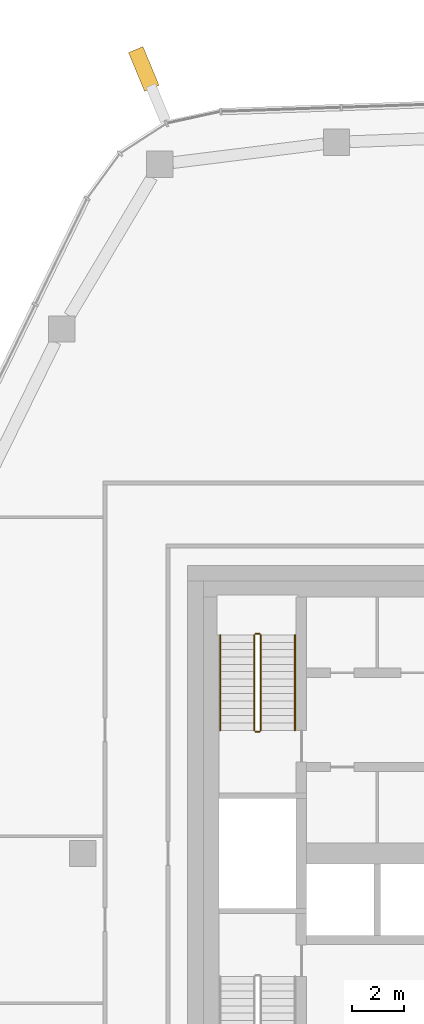
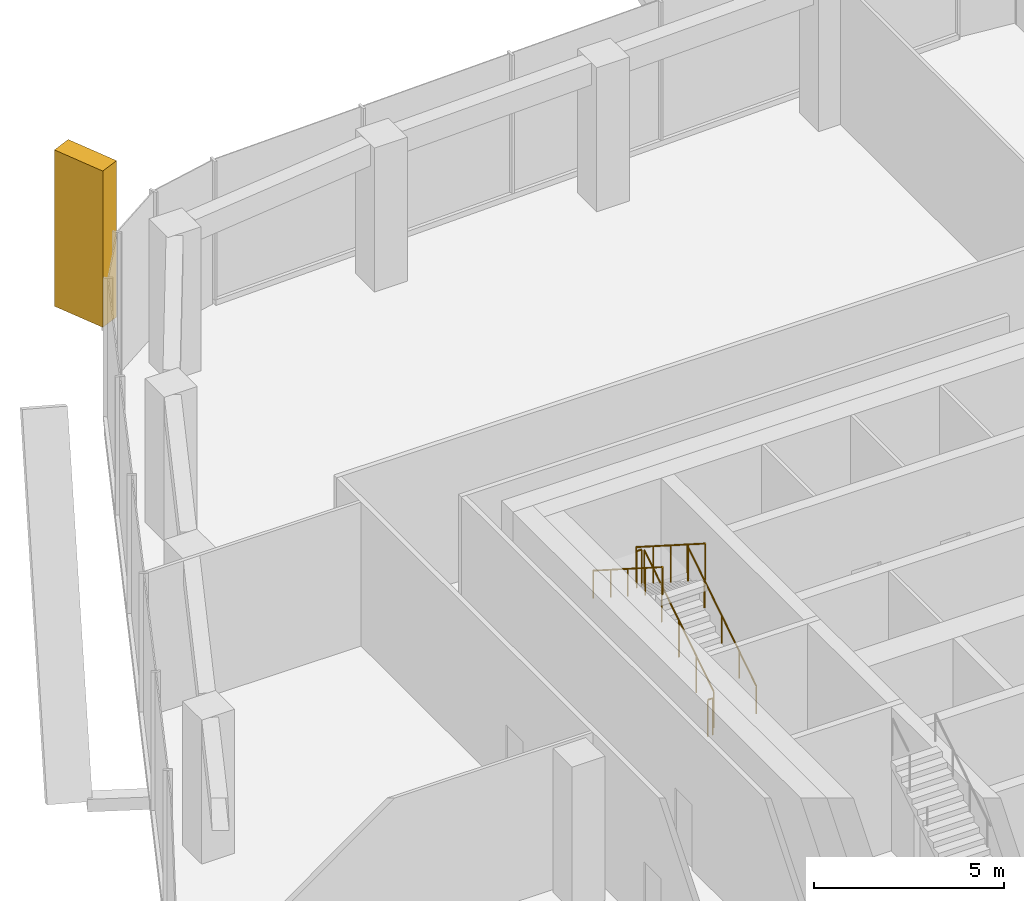
# One storey, part 17 of 20: 6 railings, 1 covering, 1 element without a shape of its own.
"""IFC4 building model written with IfcOpenShell, lengths in metres."""

from ifc_helpers import new_model, si_unit, direction, frame, origin, origin_2d, place, context, subcontext, project, spatial, rectangle, circle, extrude, material, layer, layer_set, material_profile, profile_set, type_object, element, aggregate, save


model = new_model("IFC4")

# Units and contexts
model_context = context("Model", 3, precision=1e-05, world=origin(), true_north=direction((0.0, 1.0)))
body_context = subcontext(model_context, "Body", "Model", "MODEL_VIEW")
ifc_project = project(units=[si_unit("LENGTHUNIT", "METRE"), si_unit("AREAUNIT", "SQUARE_METRE"), si_unit("VOLUMEUNIT", "CUBIC_METRE"), si_unit("PLANEANGLEUNIT", "RADIAN"), si_unit("MASSUNIT", "GRAM", prefix="KILO")], contexts=[model_context])

# Site, building, storey
site_placement = place(None, origin())
site = spatial("IfcSite", under=ifc_project, at=site_placement, CompositionType="ELEMENT")
building_placement = place(site_placement, origin())
building = spatial("IfcBuilding", under=site, at=building_placement, Name="Dongbaek Canopy Tower", CompositionType="ELEMENT")
storey_placement = place(building_placement, frame((0.0, 0.0, 289.199951171875)))
storey = spatial("IfcBuildingStorey", under=building, at=storey_placement, Name="L61", CompositionType="ELEMENT", Elevation=289.199951171875)

# Curtain wall, covering
ifc_material_1 = material(Name="Aluminium 6063-T6 pale anodised", Category="aluminium")
ifc_layer = layer(ifc_material_1, 0.25)
ifc_layer_set = layer_set([ifc_layer], Name="CW-4 sky-lobby curtain wall")
curtain_wall_type = type_object("IfcCurtainWallType", Name="CW-4 sky-lobby curtain wall", PredefinedType="NOTDEFINED", material=ifc_layer_set)
curtain_wall_placement = place(storey_placement, origin())
curtain_wall = element("IfcCurtainWall", 1, at=curtain_wall_placement, inside=storey, type_object=curtain_wall_type, Name="CW-4 curtain wall K2.1", PredefinedType="NOTDEFINED")
ifc_material_2 = material(Name="Aluminium 6063-T6 pale metal fin", Category="aluminium")
ifc_material_profile = material_profile(ifc_material_2, rectangle(XDim=1.60009765625, YDim=0.60009765625, at=origin_2d()), Name="Corner fin CN1 600 x 1600 pale metal")
ifc_profile_set = profile_set([ifc_material_profile], Name="Aluminium 6063-T6 pale metal fin")
covering_type = type_object("IfcCoveringType", Name="Corner fin CN1 600 x 1600 pale metal", PredefinedType="CLADDING", material=ifc_profile_set)
covering_placement = place(storey_placement, frame((-15.67236328125, 29.9619140625, -0.224853515625), z_axis=(0.0, 0.0, 1.0), x_axis=(-0.384678780274, 0.923050505664, 0.0)))
covering = element("IfcCovering", 2, at=covering_placement, type_object=covering_type, Name="Corner fin L61 L61 K2", PredefinedType="CLADDING", context=body_context, shape_type="SweptSolid", body=[
    extrude(rectangle(XDim=1.60009765625, YDim=0.60009765625, at=origin_2d()), origin(), (0.0, 0.0, 1.0), 5.014892578125),
])
aggregate(curtain_wall, [covering])

# Railings
ifc_material_3 = material(Name="Stainless steel tube and balusters", Category="steel")
railing_type_1 = type_object("IfcRailingType", Name="Stair guard 1200", PredefinedType="GUARDRAIL", material=ifc_material_3)
railing_1_placement = place(storey_placement, frame((-11.199951171875, 4.699951171875, 0.1787109375)))
element("IfcRailing", 3, at=railing_1_placement, inside=storey, type_object=railing_type_1, Name="L61 ST-C stair guard 1", PredefinedType="GUARDRAIL", context=body_context, shape_type="SweptSolid", body=[
    extrude(circle(Radius=0.02392578125, at=origin_2d()), frame((0.0, 0.0, 1.17578125), z_axis=(0.0, 0.843153495434, 0.537672933239), x_axis=(-1.0, 0.0, 0.0)), (0.0, 0.0, 1.0), 4.3173828125),
    extrude(circle(Radius=0.02099609375, at=origin_2d()), origin(), (0.0, 0.0, 1.0), 1.15185546875),
    extrude(circle(Radius=0.02099609375, at=origin_2d()), frame((0.0, 0.91015625, 0.580322265625)), (0.0, 0.0, 1.0), 1.15185546875),
    extrude(circle(Radius=0.02099609375, at=origin_2d()), frame((0.0, 1.820068359375, 1.16064453125)), (0.0, 0.0, 1.0), 1.15185546875),
    extrude(circle(Radius=0.02099609375, at=origin_2d()), frame((0.0, 2.72998046875, 1.740966796875)), (0.0, 0.0, 1.0), 1.15185546875),
    extrude(circle(Radius=0.02099609375, at=origin_2d()), frame((0.0, 3.64013671875, 2.3212890625)), (0.0, 0.0, 1.0), 1.15185546875),
])
railing_2_placement = place(storey_placement, frame((-11.25, 8.389892578125, 2.5)))
element("IfcRailing", 4, at=railing_2_placement, inside=storey, type_object=railing_type_1, Name="L61 ST-C stair guard 2", PredefinedType="GUARDRAIL", context=body_context, shape_type="SweptSolid", body=[
    extrude(circle(Radius=0.02392578125, at=origin_2d()), frame((0.0, 0.0, 1.17578125), z_axis=(-1.0, 0.0, 0.0), x_axis=(0.0, -1.0, 0.0)), (0.0, 0.0, 1.0), 0.14990234375),
    extrude(circle(Radius=0.02099609375, at=origin_2d()), origin(), (0.0, 0.0, 1.0), 1.15185546875),
    extrude(circle(Radius=0.02099609375, at=origin_2d()), frame((-0.14990234375, 0.0, 0.0)), (0.0, 0.0, 1.0), 1.15185546875),
])
railing_3_placement = place(storey_placement, frame((-11.449951171875, 8.340087890625, 2.6787109375)))
element("IfcRailing", 5, at=railing_3_placement, inside=storey, type_object=railing_type_1, Name="L61 ST-C stair guard 3", PredefinedType="GUARDRAIL", context=body_context, shape_type="SweptSolid", body=[
    extrude(circle(Radius=0.02392578125, at=origin_2d()), frame((0.0, 0.0, 1.17578125), z_axis=(0.0, -0.843153495434, 0.537672933239), x_axis=(1.0, 0.0, 0.0)), (0.0, 0.0, 1.0), 4.3173828125),
    extrude(circle(Radius=0.02099609375, at=origin_2d()), origin(), (0.0, 0.0, 1.0), 1.15185546875),
    extrude(circle(Radius=0.02099609375, at=origin_2d()), frame((0.0, -0.91015625, 0.580322265625)), (0.0, 0.0, 1.0), 1.15185546875),
    extrude(circle(Radius=0.02099609375, at=origin_2d()), frame((0.0, -1.820068359375, 1.16064453125)), (0.0, 0.0, 1.0), 1.15185546875),
    extrude(circle(Radius=0.02099609375, at=origin_2d()), frame((0.0, -2.72998046875, 1.740966796875)), (0.0, 0.0, 1.0), 1.15185546875),
    extrude(circle(Radius=0.02099609375, at=origin_2d()), frame((0.0, -3.64013671875, 2.3212890625)), (0.0, 0.0, 1.0), 1.15185546875),
])
railing_4_placement = place(storey_placement, frame((-11.25, 4.64990234375, 0.0)))
element("IfcRailing", 6, at=railing_4_placement, inside=storey, type_object=railing_type_1, Name="L61 ST-C stair guard 4", PredefinedType="GUARDRAIL", context=body_context, shape_type="SweptSolid", body=[
    extrude(circle(Radius=0.02392578125, at=origin_2d()), frame((0.0, 0.0, 1.17578125), z_axis=(-1.0, 0.0, 0.0), x_axis=(0.0, -1.0, 0.0)), (0.0, 0.0, 1.0), 0.14990234375),
    extrude(circle(Radius=0.02099609375, at=origin_2d()), origin(), (0.0, 0.0, 1.0), 1.15185546875),
    extrude(circle(Radius=0.02099609375, at=origin_2d()), frame((-0.14990234375, 0.0, 0.0)), (0.0, 0.0, 1.0), 1.15185546875),
])
ifc_material_4 = material(Name="Stainless steel tube", Category="steel")
railing_type_2 = type_object("IfcRailingType", Name="Stair handrail 900", PredefinedType="HANDRAIL", material=ifc_material_4)
railing_5_placement = place(storey_placement, frame((-9.89990234375, 4.699951171875, 0.1787109375)))
element("IfcRailing", 7, at=railing_5_placement, inside=storey, type_object=railing_type_2, Name="L61 ST-C stair handrail 1", PredefinedType="HANDRAIL", context=body_context, shape_type="SweptSolid", body=[
    extrude(circle(Radius=0.02392578125, at=origin_2d()), frame((0.0, 0.0, 0.8759765625), z_axis=(0.0, 0.843153495434, 0.537672933239), x_axis=(-1.0, 0.0, 0.0)), (0.0, 0.0, 1.0), 4.3173828125),
    extrude(circle(Radius=0.02099609375, at=origin_2d()), origin(), (0.0, 0.0, 1.0), 0.851806640625),
    extrude(circle(Radius=0.02099609375, at=origin_2d()), frame((0.0, 0.91015625, 0.580322265625)), (0.0, 0.0, 1.0), 0.851806640625),
    extrude(circle(Radius=0.02099609375, at=origin_2d()), frame((0.0, 1.820068359375, 1.16064453125)), (0.0, 0.0, 1.0), 0.851806640625),
    extrude(circle(Radius=0.02099609375, at=origin_2d()), frame((0.0, 2.72998046875, 1.740966796875)), (0.0, 0.0, 1.0), 0.851806640625),
    extrude(circle(Radius=0.02099609375, at=origin_2d()), frame((0.0, 3.64013671875, 2.3212890625)), (0.0, 0.0, 1.0), 0.851806640625),
])
railing_6_placement = place(storey_placement, frame((-12.75, 8.340087890625, 2.6787109375)))
element("IfcRailing", 8, at=railing_6_placement, inside=storey, type_object=railing_type_2, Name="L61 ST-C stair handrail 2", PredefinedType="HANDRAIL", context=body_context, shape_type="SweptSolid", body=[
    extrude(circle(Radius=0.02392578125, at=origin_2d()), frame((0.0, 0.0, 0.8759765625), z_axis=(0.0, -0.843153495434, 0.537672933239), x_axis=(1.0, 0.0, 0.0)), (0.0, 0.0, 1.0), 4.3173828125),
    extrude(circle(Radius=0.02099609375, at=origin_2d()), origin(), (0.0, 0.0, 1.0), 0.851806640625),
    extrude(circle(Radius=0.02099609375, at=origin_2d()), frame((0.0, -0.91015625, 0.580322265625)), (0.0, 0.0, 1.0), 0.851806640625),
    extrude(circle(Radius=0.02099609375, at=origin_2d()), frame((0.0, -1.820068359375, 1.16064453125)), (0.0, 0.0, 1.0), 0.851806640625),
    extrude(circle(Radius=0.02099609375, at=origin_2d()), frame((0.0, -2.72998046875, 1.740966796875)), (0.0, 0.0, 1.0), 0.851806640625),
    extrude(circle(Radius=0.02099609375, at=origin_2d()), frame((0.0, -3.64013671875, 2.3212890625)), (0.0, 0.0, 1.0), 0.851806640625),
])

save(model, "model.ifc")
